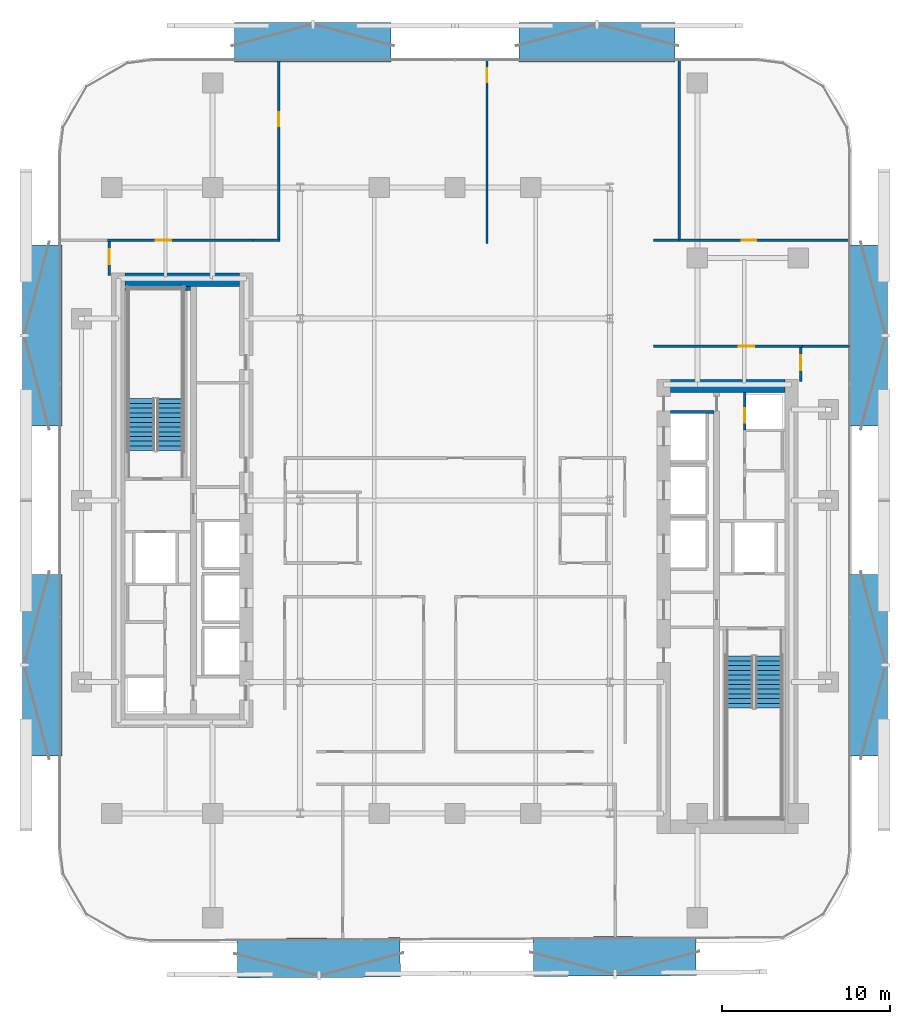
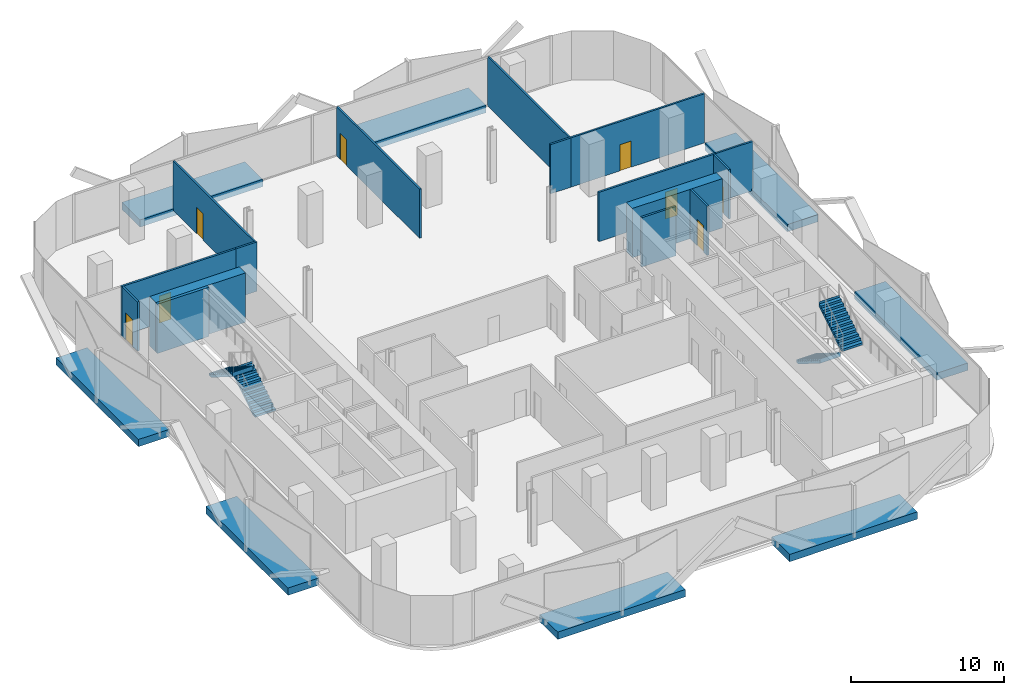
# One storey, part 6 of 15: 16 walls, 8 discrete accessories, 8 doors, 4 stair flights, 8 openings, 2 elements without a shape of their own.
"""IFC4 building model written with IfcOpenShell, lengths in metres."""

from ifc_helpers import new_model, si_unit, direction, frame, frame_2d, origin, origin_2d, place, context, subcontext, project, spatial, polyline, rectangle, outline, extrude, material, layer, layer_set, type_object, element, fill, aggregate, save


model = new_model("IFC4")

# Units and contexts
model_context = context("Model", 3, precision=1e-05, world=origin(), true_north=direction((0.0, 1.0)))
body_context = subcontext(model_context, "Body", "Model", "MODEL_VIEW")
ifc_project = project(units=[si_unit("LENGTHUNIT", "METRE"), si_unit("AREAUNIT", "SQUARE_METRE"), si_unit("VOLUMEUNIT", "CUBIC_METRE"), si_unit("PLANEANGLEUNIT", "RADIAN"), si_unit("MASSUNIT", "GRAM", prefix="KILO")], contexts=[model_context])

# Site, building, storey
site_placement = place(None, origin())
site = spatial("IfcSite", under=ifc_project, at=site_placement, CompositionType="ELEMENT")
building_placement = place(site_placement, origin())
building = spatial("IfcBuilding", under=site, at=building_placement, Name="Khairoan Windgate Tower", CompositionType="ELEMENT")
storey_placement = place(building_placement, frame((0.0, 0.0, 126.800048828125)))
storey = spatial("IfcBuildingStorey", under=building, at=storey_placement, Name="L29", CompositionType="ELEMENT", Elevation=126.800048828125)

# Walls
ifc_material_1 = material(Name="Concrete C40/50", Category="concrete")
ifc_layer_1 = layer(ifc_material_1, 0.159912109375, Name="Concrete C40/50")
ifc_layer_set_1 = layer_set([ifc_layer_1], Name="Concrete C40/50")
wall_type_1 = type_object("IfcWallType", Name="Core and Hoistway Enclosure Wall", PredefinedType="STANDARD", material=ifc_layer_set_1)
wall_1_placement = place(storey_placement, frame((12.800048828125, 5.25, 0.0), z_axis=(0.0, 0.0, 1.0), x_axis=(1.0, 0.0, 0.0)))
element("IfcWall", 1, at=wall_1_placement, inside=storey, type_object=wall_type_1, Name="L29 Core Shaft Wall SW-ESV-L29", PredefinedType="STANDARD", context=body_context, shape_type="SweptSolid", body=[
    extrude(rectangle(XDim=2.599853515625, YDim=0.159912109375, at=frame_2d((1.2998046875, 0.0))), origin(), (0.0, 0.0, 1.0), 3.93994140625),
])
ifc_material_2 = material(Name="Acoustic Fire-Rated Gypsum Partition", Category="gypsum")
ifc_layer_2 = layer(ifc_material_2, 0.139892578125, Name="Acoustic Fire-Rated Gypsum Partition")
ifc_layer_set_2 = layer_set([ifc_layer_2], Name="Acoustic Fire-Rated Gypsum Partition")
wall_type_2 = type_object("IfcWallType", Name="Inter-Tenancy Compartment Wall", PredefinedType="PARTITIONING", material=ifc_layer_set_2)
wall_2_placement = place(storey_placement, frame((20.639892578125, 9.159912109375, 0.0), z_axis=(0.0, 0.0, 1.0), x_axis=(1.0, 0.0, 0.0)))
element("IfcWall", 2, at=wall_2_placement, inside=storey, type_object=wall_type_2, Name="L29 Interior Partition 038", PredefinedType="PARTITIONING", context=body_context, shape_type="SweptSolid", body=[
    extrude(rectangle(XDim=2.815185546875, YDim=0.139892578125, at=frame_2d((1.40771484375, 0.0))), origin(), (0.0, 0.0, 1.0), 3.93994140625),
])
wall_3_placement = place(storey_placement, frame((11.81005859375, 15.4599609375, 0.0), z_axis=(0.0, 0.0, 1.0), x_axis=(1.0, 0.0, 0.0)))
element("IfcWall", 3, at=wall_3_placement, inside=storey, type_object=wall_type_2, Name="L29 Interior Partition 039", PredefinedType="PARTITIONING", context=body_context, shape_type="SweptSolid", body=[
    extrude(rectangle(XDim=1.517822265625, YDim=0.139892578125, at=frame_2d((0.7587890625, 0.0))), origin(), (0.0, 0.0, 1.0), 3.93994140625),
])

# Wall, opening, door
wall_4_placement = place(storey_placement, frame((13.327880859375, 15.4599609375, 0.0), z_axis=(0.0, 0.0, 1.0), x_axis=(1.0, 0.0, 0.0)))
wall_4 = element("IfcWall", 4, at=wall_4_placement, inside=storey, type_object=wall_type_2, Name="L29 Interior Partition 040", PredefinedType="PARTITIONING", context=body_context, shape_type="SweptSolid", body=[
    extrude(rectangle(XDim=10.127197265625, YDim=0.139892578125, at=frame_2d((5.0634765625, 0.0))), origin(), (0.0, 0.0, 1.0), 3.93994140625),
])
opening_1_placement = place(wall_4_placement, frame((3.72119140625, 0.0, 0.0)))
opening_1 = element("IfcOpeningElement", 5, at=opening_1_placement, cuts=wall_4, Name="Opening FD-SRV", PredefinedType="OPENING", context=body_context, shape_type="SweptSolid", body=[
    extrude(rectangle(XDim=0.85009765625, YDim=2.10009765625, at=frame_2d((0.425048828125, 1.050048828125))), frame((0.0, 0.079833984375, 0.0), z_axis=(0.0, -1.0, 0.0), x_axis=(1.0, 0.0, 0.0)), (0.0, 0.0, 1.0), 0.159912109375),
])
ifc_material_3 = material(Name="Steel S355", Category="steel")
door_type_1 = type_object("IfcDoorType", Name="Core Service and Riser Fire Door FD-SRV 850x2100", OperationType="NOTDEFINED", PredefinedType="DOOR", material=ifc_material_3)
door_1_placement = place(opening_1_placement, origin())
door_1 = element("IfcDoor", 6, at=door_1_placement, inside=storey, type_object=door_type_1, Name="L29 L29-39-L29-43 Door", OperationType="SINGLE_SWING_LEFT", OverallHeight=2.10009765625, OverallWidth=0.85009765625, PredefinedType="DOOR", context=body_context, shape_type="SweptSolid", body=[
    extrude(rectangle(XDim=0.85009765625, YDim=2.10009765625, at=frame_2d((0.425048828125, 1.050048828125))), frame((0.0, 0.02490234375, 0.0), z_axis=(0.0, -1.0, 0.0), x_axis=(1.0, 0.0, 0.0)), (0.0, 0.0, 1.0), 0.050048828125),
])
fill(opening_1, door_1)

wall_5_placement = place(storey_placement, frame((-10.471923828125, 15.534912109375, 0.0), z_axis=(0.0, 0.0, 1.0), x_axis=(0.0, 1.0, 0.0)))
wall_5 = element("IfcWall", 7, at=wall_5_placement, inside=storey, type_object=wall_type_2, Name="L29 Interior Partition 041", PredefinedType="PARTITIONING", context=body_context, shape_type="SweptSolid", body=[
    extrude(rectangle(XDim=10.6201171875, YDim=0.139892578125, at=frame_2d((5.31005859375, 0.0))), origin(), (0.0, 0.0, 1.0), 3.93994140625),
])
opening_2_placement = place(wall_5_placement, frame((6.6953125, 0.0, 0.0)))
opening_2 = element("IfcOpeningElement", 8, at=opening_2_placement, cuts=wall_5, Name="Opening FD-SRV", PredefinedType="OPENING", context=body_context, shape_type="SweptSolid", body=[
    extrude(rectangle(XDim=0.85009765625, YDim=2.10009765625, at=frame_2d((0.425048828125, 1.050048828125))), frame((0.0, 0.079833984375, 0.0), z_axis=(0.0, -1.0, 0.0), x_axis=(1.0, 0.0, 0.0)), (0.0, 0.0, 1.0), 0.159912109375),
])
door_2_placement = place(opening_2_placement, origin())
door_2 = element("IfcDoor", 9, at=door_2_placement, inside=storey, type_object=door_type_1, Name="L29 L29-40-L29-41 Door", OperationType="SINGLE_SWING_RIGHT", OverallHeight=2.10009765625, OverallWidth=0.85009765625, PredefinedType="DOOR", context=body_context, shape_type="SweptSolid", body=[
    extrude(rectangle(XDim=0.85009765625, YDim=2.10009765625, at=frame_2d((0.425048828125, 1.050048828125))), frame((0.0, 0.02490234375, 0.0), z_axis=(0.0, -1.0, 0.0), x_axis=(1.0, 0.0, 0.0)), (0.0, 0.0, 1.0), 0.050048828125),
])
fill(opening_2, door_2)

wall_6_placement = place(storey_placement, frame((1.904052734375, 15.280029296875, 0.0), z_axis=(0.0, 0.0, 1.0), x_axis=(0.0, 1.0, 0.0)))
wall_6 = element("IfcWall", 10, at=wall_6_placement, inside=storey, type_object=wall_type_2, Name="L29 Interior Partition 042", PredefinedType="PARTITIONING", context=body_context, shape_type="SweptSolid", body=[
    extrude(rectangle(XDim=10.875, YDim=0.139892578125, at=frame_2d((5.4375, 0.0))), origin(), (0.0, 0.0, 1.0), 3.93994140625),
])
opening_3_placement = place(wall_6_placement, frame((9.56494140625, 0.0, 0.0)))
opening_3 = element("IfcOpeningElement", 11, at=opening_3_placement, cuts=wall_6, Name="Opening FD-SRV", PredefinedType="OPENING", context=body_context, shape_type="SweptSolid", body=[
    extrude(rectangle(XDim=0.85009765625, YDim=2.10009765625, at=frame_2d((0.425048828125, 1.050048828125))), frame((0.0, 0.079833984375, 0.0), z_axis=(0.0, -1.0, 0.0), x_axis=(1.0, 0.0, 0.0)), (0.0, 0.0, 1.0), 0.159912109375),
])
door_3_placement = place(opening_3_placement, origin())
door_3 = element("IfcDoor", 12, at=door_3_placement, inside=storey, type_object=door_type_1, Name="L29 L29-41-L29-42 Door", OperationType="SINGLE_SWING_RIGHT", OverallHeight=2.10009765625, OverallWidth=0.85009765625, PredefinedType="DOOR", context=body_context, shape_type="SweptSolid", body=[
    extrude(rectangle(XDim=0.85009765625, YDim=2.10009765625, at=frame_2d((0.425048828125, 1.050048828125))), frame((0.0, 0.02490234375, 0.0), z_axis=(0.0, -1.0, 0.0), x_axis=(1.0, 0.0, 0.0)), (0.0, 0.0, 1.0), 0.050048828125),
])
fill(opening_3, door_3)

# Wall
wall_7_placement = place(storey_placement, frame((13.327880859375, 15.530029296875, 0.0), z_axis=(0.0, 0.0, 1.0), x_axis=(0.0, 1.0, 0.0)))
element("IfcWall", 13, at=wall_7_placement, inside=storey, type_object=wall_type_2, Name="L29 Interior Partition 043", PredefinedType="PARTITIONING", context=body_context, shape_type="SweptSolid", body=[
    extrude(rectangle(XDim=10.625, YDim=0.139892578125, at=frame_2d((5.3125, 0.0))), origin(), (0.0, 0.0, 1.0), 3.93994140625),
])

# Wall, opening, door
ifc_material_4 = material(Name="Concrete C40/50", Category="concrete")
ifc_layer_3 = layer(ifc_material_4, 0.159912109375, Name="Concrete C40/50")
ifc_layer_set_3 = layer_set([ifc_layer_3], Name="Concrete C40/50")
wall_type_3 = type_object("IfcWallType", Name="Plant and Refuge Compartment Wall", PredefinedType="PARTITIONING", material=ifc_layer_set_3)
wall_8_placement = place(storey_placement, frame((17.22998046875, 4.169921875, 0.0), z_axis=(0.0, 0.0, 1.0), x_axis=(0.0, 1.0, 0.0)))
wall_8 = element("IfcWall", 14, at=wall_8_placement, inside=storey, type_object=wall_type_3, Name="L29 Interior Partition 007", PredefinedType="PARTITIONING", context=body_context, shape_type="SweptSolid", body=[
    extrude(rectangle(XDim=2.22998046875, YDim=0.159912109375, at=frame_2d((1.114990234375, 0.0))), origin(), (0.0, 0.0, 1.0), 3.93994140625),
])
opening_4_placement = place(wall_8_placement, frame((0.4599609375, 0.0, 0.0)))
opening_4 = element("IfcOpeningElement", 15, at=opening_4_placement, cuts=wall_8, Name="Opening FD-SRV", PredefinedType="OPENING", context=body_context, shape_type="SweptSolid", body=[
    extrude(rectangle(XDim=0.85009765625, YDim=2.10009765625, at=frame_2d((0.425048828125, 1.050048828125))), frame((0.0, 0.08984375, 0.0), z_axis=(0.0, -1.0, 0.0), x_axis=(1.0, 0.0, 0.0)), (0.0, 0.0, 1.0), 0.179931640625),
])
door_4_placement = place(opening_4_placement, origin())
door_4 = element("IfcDoor", 16, at=door_4_placement, inside=storey, type_object=door_type_1, Name="L29 L29-18-L29-19 Door", OperationType="SINGLE_SWING_RIGHT", OverallHeight=2.10009765625, OverallWidth=0.85009765625, PredefinedType="DOOR", context=body_context, shape_type="SweptSolid", body=[
    extrude(rectangle(XDim=0.85009765625, YDim=2.10009765625, at=frame_2d((0.425048828125, 1.050048828125))), frame((0.0, 0.02490234375, 0.0), z_axis=(0.0, -1.0, 0.0), x_axis=(1.0, 0.0, 0.0)), (0.0, 0.0, 1.0), 0.050048828125),
])
fill(opening_4, door_4)

# Wall
ifc_material_5 = material(Name="Acoustic Fire-Rated Gypsum Partition", Category="gypsum")
ifc_layer_4 = layer(ifc_material_5, 0.14990234375, Name="Acoustic Fire-Rated Gypsum Partition")
ifc_layer_set_4 = layer_set([ifc_layer_4], Name="Acoustic Fire-Rated Gypsum Partition")
wall_type_4 = type_object("IfcWallType", Name="Rated Corridor Partition Wall", PredefinedType="PARTITIONING", material=ifc_layer_set_4)
wall_9_placement = place(storey_placement, frame((-11.989990234375, 15.4599609375, 0.0), z_axis=(0.0, 0.0, 1.0), x_axis=(1.0, 0.0, 0.0)))
element("IfcWall", 17, at=wall_9_placement, inside=storey, type_object=wall_type_4, Name="L29 Interior Partition 012", PredefinedType="PARTITIONING", context=body_context, shape_type="SweptSolid", body=[
    extrude(rectangle(XDim=1.587890625, YDim=0.14990234375, at=frame_2d((0.7939453125, 0.0))), origin(), (0.0, 0.0, 1.0), 3.93994140625),
])

# Wall, opening, door
wall_10_placement = place(storey_placement, frame((-20.5400390625, 13.360107421875, 0.0), z_axis=(0.0, 0.0, 1.0), x_axis=(0.0, 1.0, 0.0)))
wall_10 = element("IfcWall", 18, at=wall_10_placement, inside=storey, type_object=wall_type_4, Name="L29 Interior Partition 027", PredefinedType="PARTITIONING", context=body_context, shape_type="SweptSolid", body=[
    extrude(rectangle(XDim=2.02490234375, YDim=0.14990234375, at=frame_2d((1.012451171875, 0.0))), origin(), (0.0, 0.0, 1.0), 3.93994140625),
])
opening_5_placement = place(wall_10_placement, frame((0.6650390625, 0.0, 0.0)))
opening_5 = element("IfcOpeningElement", 19, at=opening_5_placement, cuts=wall_10, Name="Opening FD-ENT", PredefinedType="OPENING", context=body_context, shape_type="SweptSolid", body=[
    extrude(rectangle(XDim=0.89990234375, YDim=2.14990234375, at=frame_2d((0.449951171875, 1.074951171875))), frame((0.0, 0.0849609375, 0.0), z_axis=(0.0, -1.0, 0.0), x_axis=(1.0, 0.0, 0.0)), (0.0, 0.0, 1.0), 0.169921875),
])
ifc_material_6 = material(Name="Timber Fire-Rated Core", Category="wood")
door_type_2 = type_object("IfcDoorType", Name="Unit and Office Fire Entrance Door FD-ENT 900x2150", OperationType="NOTDEFINED", PredefinedType="DOOR", material=ifc_material_6)
door_5_placement = place(opening_5_placement, origin())
door_5 = element("IfcDoor", 20, at=door_5_placement, inside=storey, type_object=door_type_2, Name="L29 L29-33-L29-37 Door", OperationType="SINGLE_SWING_RIGHT", OverallHeight=2.14990234375, OverallWidth=0.89990234375, PredefinedType="DOOR", context=body_context, shape_type="SweptSolid", body=[
    extrude(rectangle(XDim=0.89990234375, YDim=2.14990234375, at=frame_2d((0.449951171875, 1.074951171875))), frame((0.0, 0.02490234375, 0.0), z_axis=(0.0, -1.0, 0.0), x_axis=(1.0, 0.0, 0.0)), (0.0, 0.0, 1.0), 0.050048828125),
])
fill(opening_5, door_5)

wall_11_placement = place(storey_placement, frame((-20.639892578125, 15.4599609375, 0.0), z_axis=(0.0, 0.0, 1.0), x_axis=(1.0, 0.0, 0.0)))
wall_11 = element("IfcWall", 21, at=wall_11_placement, inside=storey, type_object=wall_type_4, Name="L29 Interior Partition 028", PredefinedType="PARTITIONING", context=body_context, shape_type="SweptSolid", body=[
    extrude(rectangle(XDim=8.64990234375, YDim=0.14990234375, at=frame_2d((4.324951171875, 0.0))), origin(), (0.0, 0.0, 1.0), 3.93994140625),
])
opening_6_placement = place(wall_11_placement, frame((2.87060546875, 0.0, 0.0)))
opening_6 = element("IfcOpeningElement", 22, at=opening_6_placement, cuts=wall_11, Name="Opening FD-ENT", PredefinedType="OPENING", context=body_context, shape_type="SweptSolid", body=[
    extrude(rectangle(XDim=0.89990234375, YDim=2.14990234375, at=frame_2d((0.449951171875, 1.074951171875))), frame((0.0, 0.0849609375, 0.0), z_axis=(0.0, -1.0, 0.0), x_axis=(1.0, 0.0, 0.0)), (0.0, 0.0, 1.0), 0.169921875),
])
door_6_placement = place(opening_6_placement, origin())
door_6 = element("IfcDoor", 23, at=door_6_placement, inside=storey, type_object=door_type_2, Name="L29 L29-33-L29-40 Door", OperationType="SINGLE_SWING_LEFT", OverallHeight=2.14990234375, OverallWidth=0.89990234375, PredefinedType="DOOR", context=body_context, shape_type="SweptSolid", body=[
    extrude(rectangle(XDim=0.89990234375, YDim=2.14990234375, at=frame_2d((0.449951171875, 1.074951171875))), frame((0.0, 0.02490234375, 0.0), z_axis=(0.0, -1.0, 0.0), x_axis=(1.0, 0.0, 0.0)), (0.0, 0.0, 1.0), 0.050048828125),
])
fill(opening_6, door_6)

wall_12_placement = place(storey_placement, frame((20.5400390625, 7.06005859375, 0.0), z_axis=(0.0, 0.0, 1.0), x_axis=(0.0, 1.0, 0.0)))
wall_12 = element("IfcWall", 24, at=wall_12_placement, inside=storey, type_object=wall_type_4, Name="L29 Interior Partition 029", PredefinedType="PARTITIONING", context=body_context, shape_type="SweptSolid", body=[
    extrude(rectangle(XDim=2.02490234375, YDim=0.14990234375, at=frame_2d((1.012451171875, 0.0))), origin(), (0.0, 0.0, 1.0), 3.93994140625),
])
opening_7_placement = place(wall_12_placement, frame((0.6650390625, 0.0, 0.0)))
opening_7 = element("IfcOpeningElement", 25, at=opening_7_placement, cuts=wall_12, Name="Opening FD-ENT", PredefinedType="OPENING", context=body_context, shape_type="SweptSolid", body=[
    extrude(rectangle(XDim=0.89990234375, YDim=2.14990234375, at=frame_2d((0.449951171875, 1.074951171875))), frame((0.0, 0.0849609375, 0.0), z_axis=(0.0, -1.0, 0.0), x_axis=(1.0, 0.0, 0.0)), (0.0, 0.0, 1.0), 0.169921875),
])
door_7_placement = place(opening_7_placement, origin())
door_7 = element("IfcDoor", 26, at=door_7_placement, inside=storey, type_object=door_type_2, Name="L29 L29-34-L29-38 Door", OperationType="SINGLE_SWING_RIGHT", OverallHeight=2.14990234375, OverallWidth=0.89990234375, PredefinedType="DOOR", context=body_context, shape_type="SweptSolid", body=[
    extrude(rectangle(XDim=0.89990234375, YDim=2.14990234375, at=frame_2d((0.449951171875, 1.074951171875))), frame((0.0, 0.02490234375, 0.0), z_axis=(0.0, -1.0, 0.0), x_axis=(1.0, 0.0, 0.0)), (0.0, 0.0, 1.0), 0.050048828125),
])
fill(opening_7, door_7)

wall_13_placement = place(storey_placement, frame((11.81005859375, 9.159912109375, 0.0), z_axis=(0.0, 0.0, 1.0), x_axis=(1.0, 0.0, 0.0)))
wall_13 = element("IfcWall", 27, at=wall_13_placement, inside=storey, type_object=wall_type_4, Name="L29 Interior Partition 030", PredefinedType="PARTITIONING", context=body_context, shape_type="SweptSolid", body=[
    extrude(rectangle(XDim=8.829833984375, YDim=0.14990234375, at=frame_2d((4.4150390625, 0.0))), origin(), (0.0, 0.0, 1.0), 3.93994140625),
])
opening_8_placement = place(wall_13_placement, frame((5.066650390625, 0.0, 0.0)))
opening_8 = element("IfcOpeningElement", 28, at=opening_8_placement, cuts=wall_13, Name="Opening FD-ENT", PredefinedType="OPENING", context=body_context, shape_type="SweptSolid", body=[
    extrude(rectangle(XDim=0.89990234375, YDim=2.14990234375, at=frame_2d((0.449951171875, 1.074951171875))), frame((0.0, 0.0849609375, 0.0), z_axis=(0.0, -1.0, 0.0), x_axis=(1.0, 0.0, 0.0)), (0.0, 0.0, 1.0), 0.169921875),
])
door_8_placement = place(opening_8_placement, origin())
door_8 = element("IfcDoor", 29, at=door_8_placement, inside=storey, type_object=door_type_2, Name="L29 L29-34-L29-39 Door", OperationType="SINGLE_SWING_LEFT", OverallHeight=2.14990234375, OverallWidth=0.89990234375, PredefinedType="DOOR", context=body_context, shape_type="SweptSolid", body=[
    extrude(rectangle(XDim=0.89990234375, YDim=2.14990234375, at=frame_2d((0.449951171875, 1.074951171875))), frame((0.0, 0.02490234375, 0.0), z_axis=(0.0, -1.0, 0.0), x_axis=(1.0, 0.0, 0.0)), (0.0, 0.0, 1.0), 0.050048828125),
])
fill(opening_8, door_8)

# Walls
ifc_material_7 = material(Name="Concrete C70/85", Category="concrete")
ifc_layer_5 = layer(ifc_material_7, 0.800048828125, Name="Concrete C70/85")
ifc_layer_set_5 = layer_set([ifc_layer_5], Name="Concrete C70/85")
wall_type_5 = type_object("IfcWallType", Name="Shear Wall CW-E1 800mm", PredefinedType="SHEAR", material=ifc_layer_set_5)
wall_14_placement = place(storey_placement, frame((12.800048828125, 6.800048828125, 0.0), z_axis=(0.0, 0.0, 1.0), x_axis=(1.0, 0.0, 0.0)))
element("IfcWall", 30, at=wall_14_placement, inside=storey, type_object=wall_type_5, Name="E Core North Shear Wall L29", PredefinedType="SHEAR", context=body_context, shape_type="SweptSolid", body=[
    extrude(rectangle(XDim=6.800048828125, YDim=0.800048828125, at=frame_2d((3.39990234375, 0.0))), origin(), (0.0, 0.0, 1.0), 3.93994140625),
])
ifc_material_8 = material(Name="Concrete C70/85", Category="concrete")
ifc_layer_6 = layer(ifc_material_8, 0.800048828125, Name="Concrete C70/85")
ifc_layer_set_6 = layer_set([ifc_layer_6], Name="Concrete C70/85")
wall_type_6 = type_object("IfcWallType", Name="Shear Wall CW-W1 800mm", PredefinedType="SHEAR", material=ifc_layer_set_6)
wall_15_placement = place(storey_placement, frame((-19.60009765625, 13.10009765625, 0.0), z_axis=(0.0, 0.0, 1.0), x_axis=(1.0, 0.0, 0.0)))
element("IfcWall", 31, at=wall_15_placement, inside=storey, type_object=wall_type_6, Name="W Core North Shear Wall L29", PredefinedType="SHEAR", context=body_context, shape_type="SweptSolid", body=[
    extrude(rectangle(XDim=6.800048828125, YDim=0.800048828125, at=frame_2d((3.39990234375, 0.0))), origin(), (0.0, 0.0, 1.0), 3.93994140625),
])
ifc_material_9 = material(Name="Concrete C50/60", Category="concrete")
ifc_layer_7 = layer(ifc_material_9, 0.219970703125, Name="Concrete C50/60")
ifc_layer_set_7 = layer_set([ifc_layer_7], Name="Concrete C50/60")
wall_type_7 = type_object("IfcWallType", Name="Shear Wall SW-ST 220mm", PredefinedType="SHEAR", material=ifc_layer_set_7)
wall_16_placement = place(storey_placement, frame((-19.6201171875, 12.590087890625, 0.0), z_axis=(0.0, 0.0, 1.0), x_axis=(1.0, 0.0, 0.0)))
element("IfcWall", 32, at=wall_16_placement, inside=storey, type_object=wall_type_7, Name="L29 Stair ST2 North Bearing Wall", PredefinedType="SHEAR", context=body_context, shape_type="SweptSolid", body=[
    extrude(rectangle(XDim=3.9150390625, YDim=0.219970703125, at=frame_2d((1.95751953125, 0.0))), origin(), (0.0, 0.0, 1.0), 3.93994140625),
])

# Stair, stair flights
ifc_material_10 = material(Name="Concrete C40/50", Category="concrete")
stair_type = type_object("IfcStairType", Name="Tower Core Dog-Leg Stair ST-T1 1560mm", PredefinedType="HALF_TURN_STAIR", material=ifc_material_10)
stair_1_placement = place(storey_placement, origin())
stair_1 = element("IfcStair", 33, at=stair_1_placement, inside=storey, type_object=stair_type, Name="L29 Stair ST1", PredefinedType="HALF_TURN_STAIR")
ifc_material_11 = material(Name="Concrete C40/50", Category="concrete")
ifc_layer_8 = layer(ifc_material_11, 0.14990234375, Name="Concrete C40/50")
ifc_layer_set_8 = layer_set([ifc_layer_8], Name="Concrete C40/50")
stair_flight_type = type_object("IfcStairFlightType", Name="Tower Core Stair Flight STF-1560", PredefinedType="STRAIGHT", material=ifc_layer_set_8)
stair_flight_1_placement = place(storey_placement, frame((16.929931640625, -9.260009765625, 0.0), z_axis=(0.0, 0.0, 1.0), x_axis=(0.0, -1.0, 0.0)))
stair_flight_1 = element("IfcStairFlight", 34, at=stair_flight_1_placement, type_object=stair_flight_type, Name="ST1 flight 1", NumberOfRisers=12, NumberOfTreads=11, PredefinedType="STRAIGHT", RiserHeight=0.175, TreadLength=0.28, context=body_context, shape_type="SweptSolid", body=[
    extrude(outline(polyline([(-0.00390625, 0.0), (-0.00390625, 0.175048828125), (0.0, 0.175048828125), (0.280029296875, 0.175048828125), (0.280029296875, 0.35009765625), (0.56005859375, 0.35009765625), (0.56005859375, 0.52490234375), (0.840087890625, 0.52490234375), (0.840087890625, 0.699951171875), (1.1201171875, 0.699951171875), (1.1201171875, 0.875), (1.39990234375, 0.875), (1.39990234375, 1.050048828125), (1.679931640625, 1.050048828125), (1.679931640625, 1.22509765625), (1.9599609375, 1.22509765625), (1.9599609375, 1.39990234375), (2.239990234375, 1.39990234375), (2.239990234375, 1.574951171875), (2.52001953125, 1.574951171875), (2.52001953125, 1.75), (2.800048828125, 1.75), (2.800048828125, 1.925048828125), (3.080078125, 1.925048828125), (3.080078125, 2.10009765625), (3.083984375, 2.10009765625), (3.083984375, 1.748291015625), (0.28271484375, 0.0), (-0.00390625, 0.0)])), frame((0.0, 0.780029296875, 0.0), z_axis=(0.0, -1.0, 0.0), x_axis=(1.0, 0.0, 0.0)), (0.0, 0.0, 1.0), 1.56005859375),
])
stair_flight_2_placement = place(storey_placement, frame((18.639892578125, -12.340087890625, 2.099853515625), z_axis=(0.0, 0.0, 1.0), x_axis=(0.0, 1.0, 0.0)))
stair_flight_2 = element("IfcStairFlight", 35, at=stair_flight_2_placement, type_object=stair_flight_type, Name="ST1 flight 2", NumberOfRisers=12, NumberOfTreads=11, PredefinedType="STRAIGHT", RiserHeight=0.175, TreadLength=0.28, context=body_context, shape_type="SweptSolid", body=[
    extrude(outline(polyline([(-0.00390625, 0.0), (-0.00390625, 0.175048828125), (0.0, 0.175048828125), (0.280029296875, 0.175048828125), (0.280029296875, 0.35009765625), (0.56005859375, 0.35009765625), (0.56005859375, 0.52490234375), (0.840087890625, 0.52490234375), (0.840087890625, 0.699951171875), (1.1201171875, 0.699951171875), (1.1201171875, 0.875), (1.39990234375, 0.875), (1.39990234375, 1.050048828125), (1.679931640625, 1.050048828125), (1.679931640625, 1.22509765625), (1.9599609375, 1.22509765625), (1.9599609375, 1.39990234375), (2.239990234375, 1.39990234375), (2.239990234375, 1.574951171875), (2.52001953125, 1.574951171875), (2.52001953125, 1.75), (2.800048828125, 1.75), (2.800048828125, 1.925048828125), (3.080078125, 1.925048828125), (3.080078125, 2.10009765625), (3.083984375, 2.10009765625), (3.083984375, 1.748291015625), (0.28271484375, 0.0), (-0.00390625, 0.0)])), frame((0.0, 0.780029296875, 0.0), z_axis=(0.0, -1.0, 0.0), x_axis=(1.0, 0.0, 0.0)), (0.0, 0.0, 1.0), 1.56005859375),
])
aggregate(stair_1, [stair_flight_1, stair_flight_2])

stair_2_placement = place(storey_placement, origin())
stair_2 = element("IfcStair", 36, at=stair_2_placement, inside=storey, type_object=stair_type, Name="L29 Stair ST2", PredefinedType="HALF_TURN_STAIR")
stair_flight_3_placement = place(storey_placement, frame((-16.929931640625, 2.9599609375, 0.0), z_axis=(0.0, 0.0, 1.0), x_axis=(0.0, 1.0, 0.0)))
stair_flight_3 = element("IfcStairFlight", 37, at=stair_flight_3_placement, type_object=stair_flight_type, Name="ST2 flight 1", NumberOfRisers=12, NumberOfTreads=11, PredefinedType="STRAIGHT", RiserHeight=0.175, TreadLength=0.28, context=body_context, shape_type="SweptSolid", body=[
    extrude(outline(polyline([(-0.00390625, 0.0), (-0.00390625, 0.175048828125), (0.0, 0.175048828125), (0.280029296875, 0.175048828125), (0.280029296875, 0.35009765625), (0.56005859375, 0.35009765625), (0.56005859375, 0.52490234375), (0.840087890625, 0.52490234375), (0.840087890625, 0.699951171875), (1.1201171875, 0.699951171875), (1.1201171875, 0.875), (1.39990234375, 0.875), (1.39990234375, 1.050048828125), (1.679931640625, 1.050048828125), (1.679931640625, 1.22509765625), (1.9599609375, 1.22509765625), (1.9599609375, 1.39990234375), (2.239990234375, 1.39990234375), (2.239990234375, 1.574951171875), (2.52001953125, 1.574951171875), (2.52001953125, 1.75), (2.800048828125, 1.75), (2.800048828125, 1.925048828125), (3.080078125, 1.925048828125), (3.080078125, 2.10009765625), (3.083984375, 2.10009765625), (3.083984375, 1.748291015625), (0.28271484375, 0.0), (-0.00390625, 0.0)])), frame((0.0, 0.780029296875, 0.0), z_axis=(0.0, -1.0, 0.0), x_axis=(1.0, 0.0, 0.0)), (0.0, 0.0, 1.0), 1.56005859375),
])
stair_flight_4_placement = place(storey_placement, frame((-18.639892578125, 6.0400390625, 2.099853515625), z_axis=(0.0, 0.0, 1.0), x_axis=(0.0, -1.0, 0.0)))
stair_flight_4 = element("IfcStairFlight", 38, at=stair_flight_4_placement, type_object=stair_flight_type, Name="ST2 flight 2", NumberOfRisers=12, NumberOfTreads=11, PredefinedType="STRAIGHT", RiserHeight=0.175, TreadLength=0.28, context=body_context, shape_type="SweptSolid", body=[
    extrude(outline(polyline([(-0.00390625, 0.0), (-0.00390625, 0.175048828125), (0.0, 0.175048828125), (0.280029296875, 0.175048828125), (0.280029296875, 0.35009765625), (0.56005859375, 0.35009765625), (0.56005859375, 0.52490234375), (0.840087890625, 0.52490234375), (0.840087890625, 0.699951171875), (1.1201171875, 0.699951171875), (1.1201171875, 0.875), (1.39990234375, 0.875), (1.39990234375, 1.050048828125), (1.679931640625, 1.050048828125), (1.679931640625, 1.22509765625), (1.9599609375, 1.22509765625), (1.9599609375, 1.39990234375), (2.239990234375, 1.39990234375), (2.239990234375, 1.574951171875), (2.52001953125, 1.574951171875), (2.52001953125, 1.75), (2.800048828125, 1.75), (2.800048828125, 1.925048828125), (3.080078125, 1.925048828125), (3.080078125, 2.10009765625), (3.083984375, 2.10009765625), (3.083984375, 1.748291015625), (0.28271484375, 0.0), (-0.00390625, 0.0)])), frame((0.0, 0.780029296875, 0.0), z_axis=(0.0, -1.0, 0.0), x_axis=(1.0, 0.0, 0.0)), (0.0, 0.0, 1.0), 1.56005859375),
])
aggregate(stair_2, [stair_flight_3, stair_flight_4])

# Discrete accessories
ifc_material_12 = material(Name="Steel S355", Category="steel")
discrete_accessory_type = type_object("IfcDiscreteAccessoryType", Name="Solar Screen Outrigger Slab Bracket SSB-1", PredefinedType="BRACKET", material=ifc_material_12)
for number, where, z_axis, x_axis, name in (
    (39, (9.497802734375, -27.09521484375, -0.420166015625), (0.0, 0.0, 1.0), (-0.999988059021, -0.004886902454, 0.0), "L29 Solar Screen Outrigger Bracket 177"),
    (40, (-8.091064453125, -27.18115234375, -0.420166015625), (0.0, 0.0, 1.0), (-0.999988059021, -0.004886902454, 0.0), "L29 Solar Screen Outrigger Bracket 178"),
):
    element("IfcDiscreteAccessory", number, at=place(storey_placement, frame(where, z_axis=z_axis, x_axis=x_axis)), inside=storey, type_object=discrete_accessory_type, Name=name, PredefinedType="BRACKET", context=body_context, shape_type="SweptSolid", body=[
        extrude(rectangle(XDim=9.674072265625, YDim=2.340087890625, at=origin_2d()), origin(), (0.0, 0.0, 1.0), 0.580078125),
    ])
for number, where, z_axis, x_axis, name in (
    (41, (-24.530029296875, -9.79541015625, -0.420166015625), (0.0, 0.0, 1.0), (0.0, 1.0, 0.0), "L29 Solar Screen Outrigger Bracket 179"),
    (42, (-24.530029296875, 9.79541015625, -0.420166015625), (0.0, 0.0, 1.0), (0.0, 1.0, 0.0), "L29 Solar Screen Outrigger Bracket 180"),
):
    element("IfcDiscreteAccessory", number, at=place(storey_placement, frame(where, z_axis=z_axis, x_axis=x_axis)), inside=storey, type_object=discrete_accessory_type, Name=name, PredefinedType="BRACKET", context=body_context, shape_type="SweptSolid", body=[
        extrude(rectangle(XDim=10.77490234375, YDim=2.340087890625, at=origin_2d()), origin(), (0.0, 0.0, 1.0), 0.580078125),
    ])
for number, where, z_axis, x_axis, name in (
    (43, (-8.4453125, 27.22998046875, -0.420166015625), (0.0, 0.0, 1.0), (1.0, 0.0, 0.0), "L29 Solar Screen Outrigger Bracket 181"),
    (44, (8.4453125, 27.22998046875, -0.420166015625), (0.0, 0.0, 1.0), (1.0, 0.0, 0.0), "L29 Solar Screen Outrigger Bracket 182"),
):
    element("IfcDiscreteAccessory", number, at=place(storey_placement, frame(where, z_axis=z_axis, x_axis=x_axis)), inside=storey, type_object=discrete_accessory_type, Name=name, PredefinedType="BRACKET", context=body_context, shape_type="SweptSolid", body=[
        extrude(rectangle(XDim=9.2900390625, YDim=2.340087890625, at=origin_2d()), origin(), (0.0, 0.0, 1.0), 0.580078125),
    ])
for number, where, z_axis, x_axis, name in (
    (45, (24.530029296875, 9.79541015625, -0.420166015625), (0.0, 0.0, 1.0), (0.0, -1.0, 0.0), "L29 Solar Screen Outrigger Bracket 183"),
    (46, (24.530029296875, -9.79541015625, -0.420166015625), (0.0, 0.0, 1.0), (0.0, -1.0, 0.0), "L29 Solar Screen Outrigger Bracket 184"),
):
    element("IfcDiscreteAccessory", number, at=place(storey_placement, frame(where, z_axis=z_axis, x_axis=x_axis)), inside=storey, type_object=discrete_accessory_type, Name=name, PredefinedType="BRACKET", context=body_context, shape_type="SweptSolid", body=[
        extrude(rectangle(XDim=10.77490234375, YDim=2.340087890625, at=origin_2d()), origin(), (0.0, 0.0, 1.0), 0.580078125),
    ])

save(model, "model.ifc")
